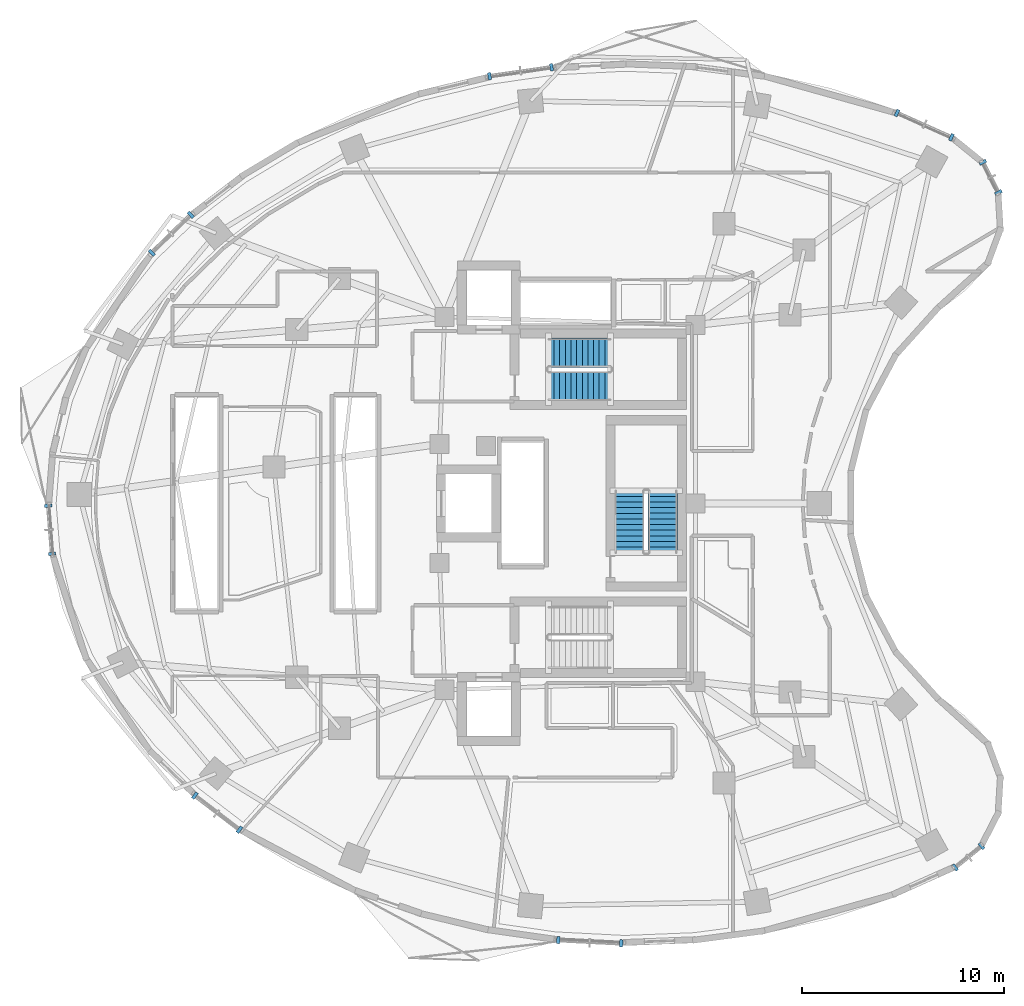
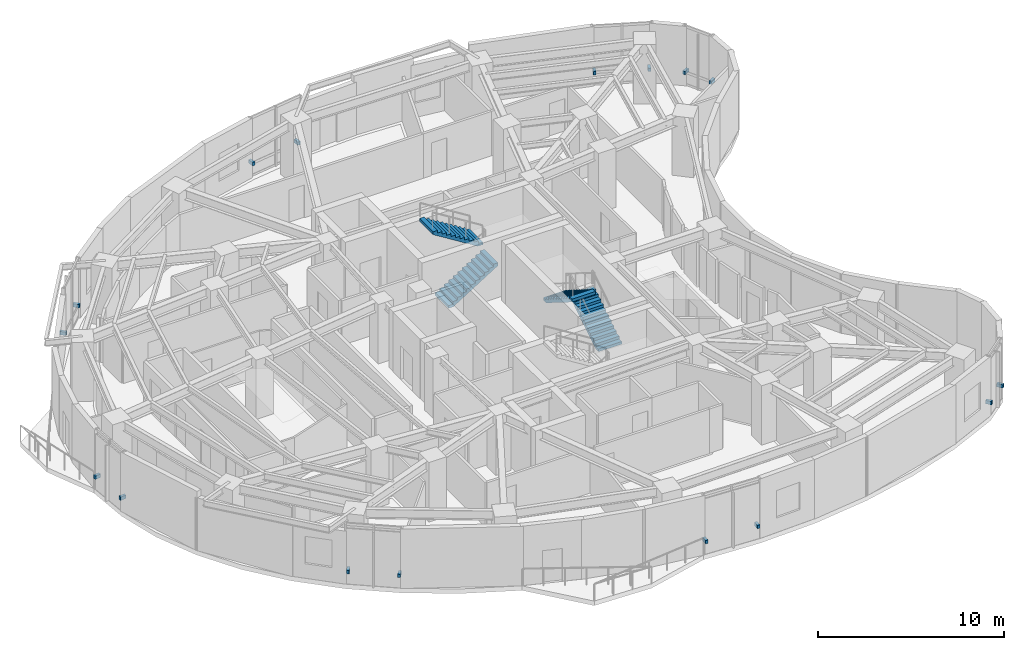
# One storey, part 12 of 15: 16 discrete accessories, 4 stair flights, 2 elements without a shape of their own.
"""IFC4 building model written with IfcOpenShell, lengths in metres."""

import ifcopenshell
import ifcopenshell.guid

model = None  # the IFC model being written
_history = None  # IfcOwnerHistory: only IFC2X3 demands one
_inside = {}  # id of a spatial element -> (the spatial element, [elements in it])
_under = {}  # id of a project, library or spatial element -> (it, [spatial elements below it])
_declared = {}  # id of a project -> (the project, [libraries it declares])
_typed = {}  # id of a type object -> (the type object, [elements of that type])
_made_of = {}  # id of a material, layer set ... -> (it, [elements and type objects made of it])


def new_model(schema):
    """Start an empty IFC model of exactly this schema.

    Asked for "IFC4X3", IfcOpenShell would pick the latest addendum, in which some entities
    have other attributes; the version numbers below select the first issue.
    IFC2X3 requires an IfcOwnerHistory on every rooted entity: one is made here for all.
    """
    global model, _history
    if schema == "IFC4X3":
        model = ifcopenshell.file(schema_version=(4, 3, 0, 0))
    else:
        model = ifcopenshell.file(schema=schema)
    _inside.clear()
    _under.clear()
    _declared.clear()
    _typed.clear()
    _made_of.clear()
    _history = None
    if model.schema == "IFC2X3":
        org = make("IfcOrganization", Name="unknown")
        user = make(
            "IfcPersonAndOrganization",
            ThePerson=make("IfcPerson", FamilyName="unknown"),
            TheOrganization=org,
        )
        app = make(
            "IfcApplication",
            ApplicationDeveloper=org,
            Version="unknown",
            ApplicationFullName="unknown",
            ApplicationIdentifier="unknown",
        )
        _history = make(
            "IfcOwnerHistory",
            OwningUser=user,
            OwningApplication=app,
            ChangeAction="ADDED",
            CreationDate=0,
        )
    return model


def make(cls, **values):
    """One entity of the class cls with the attributes given. An attribute that is None is left unset."""
    return model.create_entity(
        cls, **{name: value for name, value in values.items() if value is not None}
    )


def rooted(cls, **values):
    """An entity with a GlobalId (a new one), such as an element, a storey or a relation."""
    return make(cls, GlobalId=ifcopenshell.guid.new(), OwnerHistory=_history, **values)


def si_unit(unit_type, name, prefix=None):
    """IfcSIUnit, for example si_unit("LENGTHUNIT", "METRE", prefix="MILLI")."""
    return make("IfcSIUnit", UnitType=unit_type, Prefix=prefix, Name=name)


def assignment(units):
    """IfcUnitAssignment: the units of a project."""
    return None if units is None else make("IfcUnitAssignment", Units=units)


def point(xyz):
    """IfcCartesianPoint."""
    return None if xyz is None else make("IfcCartesianPoint", Coordinates=xyz)


def direction(xyz):
    """IfcDirection."""
    return None if xyz is None else make("IfcDirection", DirectionRatios=xyz)


def frame(location, z_axis=None, x_axis=None):
    """IfcAxis2Placement3D, a coordinate frame: its origin and axes. An axis left out is left unset."""
    return make(
        "IfcAxis2Placement3D",
        Location=point(location),
        Axis=direction(z_axis),
        RefDirection=direction(x_axis),
    )


def frame_2d(location, x_axis=None):
    """IfcAxis2Placement2D, a coordinate frame in the plane: its origin and x axis."""
    return make(
        "IfcAxis2Placement2D", Location=point(location), RefDirection=direction(x_axis)
    )


def origin():
    """The frame at (0, 0, 0) with its axes left unset."""
    return frame((0.0, 0.0, 0.0))


def origin_2d():
    """The frame at (0, 0) in the plane with its x axis left unset."""
    return frame_2d((0.0, 0.0))


def place(relative_to, where):
    """IfcLocalPlacement: puts the frame where relative to a parent placement (None: the world)."""
    return make(
        "IfcLocalPlacement", PlacementRelTo=relative_to, RelativePlacement=where
    )


def context(
    kind, dimensions, precision=None, world=None, true_north=None, identifier=None
):
    """IfcGeometricRepresentationContext, for example the 3D "Model" context."""
    return make(
        "IfcGeometricRepresentationContext",
        ContextIdentifier=identifier,
        ContextType=kind,
        CoordinateSpaceDimension=dimensions,
        Precision=precision,
        WorldCoordinateSystem=world,
        TrueNorth=true_north,
    )


def subcontext(parent, identifier, kind, view, scale=None):
    """IfcGeometricRepresentationSubContext, for example "Body" below "Model"."""
    return make(
        "IfcGeometricRepresentationSubContext",
        ContextIdentifier=identifier,
        ContextType=kind,
        ParentContext=parent,
        TargetScale=scale,
        TargetView=view,
    )


def project(units=None, contexts=None):
    """IfcProject with its units and contexts."""
    return rooted(
        "IfcProject",
        Name="project",
        RepresentationContexts=contexts,
        UnitsInContext=assignment(units),
    )


def spatial(cls, under=None, at=None, **own):
    """A site, building, storey or space (cls), placed at a placement, below another one or the project."""
    s = rooted(cls, ObjectPlacement=at, **own)
    if under is not None:
        _under.setdefault(under.id(), (under, []))[1].append(s)
    return s


def polyline(points):
    """IfcPolyline through the points."""
    return make("IfcPolyline", Points=[point(p) for p in points])


def profile(cls, at=None, kind="AREA", **sizes):
    """A parametric profile (cls). Its sizes go by their IFC names, for example OverallWidth=200.0."""
    return make(cls, ProfileType=kind, Position=at, **sizes)


def rectangle(**sizes):
    """IfcRectangleProfileDef."""
    return profile("IfcRectangleProfileDef", **sizes)


def outline(outer, holes=None, kind="AREA"):
    """IfcArbitraryClosedProfileDef: a profile drawn as a closed curve; with holes, ...WithVoids."""
    if holes is None:
        return make("IfcArbitraryClosedProfileDef", ProfileType=kind, OuterCurve=outer)
    return make(
        "IfcArbitraryProfileDefWithVoids",
        ProfileType=kind,
        OuterCurve=outer,
        InnerCurves=holes,
    )


def extrude(swept, where, along, depth):
    """IfcExtrudedAreaSolid: the profile swept, set in the frame where, extruded along a direction by depth."""
    return make(
        "IfcExtrudedAreaSolid",
        SweptArea=swept,
        Position=where,
        ExtrudedDirection=direction(along),
        Depth=depth,
    )


def shape(context_of_items, identifier, shape_type, items):
    """IfcShapeRepresentation: the items that make up one representation, for example the "Body"."""
    return make(
        "IfcShapeRepresentation",
        ContextOfItems=context_of_items,
        RepresentationIdentifier=identifier,
        RepresentationType=shape_type,
        Items=items,
    )


def material(Name=None, Category=None):
    """IfcMaterial."""
    return make("IfcMaterial", Name=Name, Category=Category)


def made_of(thing, what):
    """Note that an element or type object is made of a material, layer set ...; save() writes the relation."""
    if what is not None:
        _made_of.setdefault(what.id(), (what, []))[1].append(thing)
    return thing


def type_object(cls, material=None, **own):
    """A type object (cls), such as IfcWallType, which elements share."""
    return made_of(rooted(cls, **own), material)


def element(
    cls,
    number,
    at=None,
    inside=None,
    cuts=None,
    type_object=None,
    material=None,
    context=None,
    identifier="Body",
    shape_type=None,
    held_by="IfcProductDefinitionShape",
    body=None,
    shapes=None,
    **own,
):
    """One element of the class cls, such as IfcWall. Its Tag is "e" and its number.

    at: its placement. inside: the storey or other place that contains it. cuts: it is an
    opening in that element (IfcRelVoidsElement). A single representation is given by context,
    identifier, shape_type and body (its items); several are given by shapes. held_by: the class
    of the entity that holds the representations. save() writes the other relations.
    """
    e = rooted(cls, Tag="e%d" % number, ObjectPlacement=at, **own)
    if body is not None:
        shapes = [shape(context, identifier, shape_type, body)]
    if shapes is not None:
        e.Representation = make(held_by, Representations=shapes)
    if inside is not None:
        _inside.setdefault(inside.id(), (inside, []))[1].append(e)
    if cuts is not None:
        rooted(
            "IfcRelVoidsElement", RelatingBuildingElement=cuts, RelatedOpeningElement=e
        )
    if type_object is not None:
        _typed.setdefault(type_object.id(), (type_object, []))[1].append(e)
    return made_of(e, material)


def aggregate(whole, parts):
    """IfcRelAggregates: a whole, such as a stair, and the parts it consists of."""
    return rooted("IfcRelAggregates", RelatingObject=whole, RelatedObjects=parts)


def save(model, path):
    """Write the relations noted so far, then the file.

    IfcRelAggregates (storeys below a building ...), IfcRelContainedInSpatialStructure (elements
    in a storey), IfcRelDefinesByType, IfcRelAssociatesMaterial and IfcRelDeclares: one each for
    every whole, place, type object, material and project.
    """
    for whole, parts in _under.values():
        aggregate(whole, parts)
    for where, things in _inside.values():
        rooted(
            "IfcRelContainedInSpatialStructure",
            RelatedElements=things,
            RelatingStructure=where,
        )
    for kind, things in _typed.values():
        rooted("IfcRelDefinesByType", RelatedObjects=things, RelatingType=kind)
    for what, things in _made_of.values():
        rooted("IfcRelAssociatesMaterial", RelatedObjects=things, RelatingMaterial=what)
    for by, libraries in _declared.values():
        rooted("IfcRelDeclares", RelatingContext=by, RelatedDefinitions=libraries)
    model.write(path)


model = new_model("IFC4")

# Units and contexts
model_context = context("Model", 3, precision=1e-05, world=origin(), true_north=direction((0.0, 1.0)))
body_context = subcontext(model_context, "Body", "Model", "MODEL_VIEW")
ifc_project = project(units=[si_unit("LENGTHUNIT", "METRE"), si_unit("AREAUNIT", "SQUARE_METRE"), si_unit("VOLUMEUNIT", "CUBIC_METRE"), si_unit("PLANEANGLEUNIT", "RADIAN"), si_unit("MASSUNIT", "GRAM", prefix="KILO")], contexts=[model_context])

# Site, building, storey
site_placement = place(None, origin())
site = spatial("IfcSite", under=ifc_project, at=site_placement, CompositionType="ELEMENT")
building_placement = place(site_placement, origin())
building = spatial("IfcBuilding", under=site, at=building_placement, Name="Korentha Bioscience Tower", CompositionType="ELEMENT")
storey_placement = place(building_placement, frame((0.0, 0.0, 94.199951171875)))
storey = spatial("IfcBuildingStorey", under=building, at=storey_placement, Name="L21", CompositionType="ELEMENT", Elevation=94.199951171875)

# Stair, stair flights
ifc_material_1 = material(Name="Precast Concrete C50", Category="concrete")
stair_type = type_object("IfcStairType", Name="Core Exit Dog-Leg Stair 1450", PredefinedType="HALF_TURN_STAIR", material=ifc_material_1)
stair_1_placement = place(storey_placement, origin())
stair_1 = element("IfcStair", 1, at=stair_1_placement, inside=storey, type_object=stair_type, Name="L21 Tower North Pressurized Exit Stair ST-1", PredefinedType="HALF_TURN_STAIR")
stair_flight_type = type_object("IfcStairFlightType", Name="Core Exit Dog-Leg Stair 1450 Flight", PredefinedType="STRAIGHT", material=ifc_material_1)
stair_flight_1_placement = place(storey_placement, frame((30.25, 32.824951171875, 0.0), z_axis=(0.0, 0.0, 1.0), x_axis=(1.0, 0.0, 0.0)))
stair_flight_1 = element("IfcStairFlight", 2, at=stair_flight_1_placement, type_object=stair_flight_type, Name="ST-1 flight 1", NumberOfRisers=12, NumberOfTreads=11, PredefinedType="STRAIGHT", RiserHeight=0.175, TreadLength=0.28, context=body_context, shape_type="SweptSolid", body=[
    extrude(outline(polyline([(0.0, 0.0), (0.0, 0.175048828125), (0.280029296875, 0.175048828125), (0.280029296875, 0.35009765625), (0.56005859375, 0.35009765625), (0.56005859375, 0.52490234375), (0.840087890625, 0.52490234375), (0.840087890625, 0.699951171875), (1.1201171875, 0.699951171875), (1.1201171875, 0.875), (1.39990234375, 0.875), (1.39990234375, 1.050048828125), (1.679931640625, 1.050048828125), (1.679931640625, 1.22509765625), (1.9599609375, 1.22509765625), (1.9599609375, 1.39990234375), (2.239990234375, 1.39990234375), (2.239990234375, 1.574951171875), (2.52001953125, 1.574951171875), (2.52001953125, 1.75), (2.800048828125, 1.75), (2.800048828125, 1.925048828125), (3.080078125, 1.925048828125), (3.080078125, 2.10009765625), (3.080078125, 1.736328125), (0.3017578125, 0.0), (0.0, 0.0)])), frame((0.0, 0.72509765625, 0.0), z_axis=(0.0, -1.0, 0.0), x_axis=(1.0, 0.0, 0.0)), (0.0, 0.0, 1.0), 1.449951171875),
])
stair_flight_2_placement = place(storey_placement, frame((33.330078125, 34.47509765625, 2.10009765625), z_axis=(0.0, 0.0, 1.0), x_axis=(-1.0, 0.0, 0.0)))
stair_flight_2 = element("IfcStairFlight", 3, at=stair_flight_2_placement, type_object=stair_flight_type, Name="ST-1 flight 2", NumberOfRisers=12, NumberOfTreads=11, PredefinedType="STRAIGHT", RiserHeight=0.175, TreadLength=0.28, context=body_context, shape_type="SweptSolid", body=[
    extrude(outline(polyline([(0.0, 0.0), (0.0, 0.175048828125), (0.280029296875, 0.175048828125), (0.280029296875, 0.35009765625), (0.56005859375, 0.35009765625), (0.56005859375, 0.52490234375), (0.840087890625, 0.52490234375), (0.840087890625, 0.699951171875), (1.1201171875, 0.699951171875), (1.1201171875, 0.875), (1.39990234375, 0.875), (1.39990234375, 1.050048828125), (1.679931640625, 1.050048828125), (1.679931640625, 1.22509765625), (1.9599609375, 1.22509765625), (1.9599609375, 1.39990234375), (2.239990234375, 1.39990234375), (2.239990234375, 1.574951171875), (2.52001953125, 1.574951171875), (2.52001953125, 1.75), (2.800048828125, 1.75), (2.800048828125, 1.925048828125), (3.080078125, 1.925048828125), (3.080078125, 2.10009765625), (3.080078125, 1.736328125), (0.3017578125, 0.0), (0.0, 0.0)])), frame((0.0, 0.72509765625, 0.0), z_axis=(0.0, -1.0, 0.0), x_axis=(1.0, 0.0, 0.0)), (0.0, 0.0, 1.0), 1.449951171875),
])
aggregate(stair_1, [stair_flight_1, stair_flight_2])

stair_2_placement = place(storey_placement, origin())
stair_2 = element("IfcStair", 4, at=stair_2_placement, inside=storey, type_object=stair_type, Name="L21 Tower Central Pressurized Exit Stair ST-3", PredefinedType="HALF_TURN_STAIR")
stair_flight_3_placement = place(storey_placement, frame((35.925048828125, 24.550048828125, 0.0), z_axis=(0.0, 0.0, 1.0), x_axis=(0.0, 1.0, 0.0)))
stair_flight_3 = element("IfcStairFlight", 5, at=stair_flight_3_placement, type_object=stair_flight_type, Name="ST-3 flight 1", NumberOfRisers=12, NumberOfTreads=11, PredefinedType="STRAIGHT", RiserHeight=0.175, TreadLength=0.28, context=body_context, shape_type="SweptSolid", body=[
    extrude(outline(polyline([(0.0, 0.0), (0.0, 0.175048828125), (0.280029296875, 0.175048828125), (0.280029296875, 0.35009765625), (0.56005859375, 0.35009765625), (0.56005859375, 0.52490234375), (0.840087890625, 0.52490234375), (0.840087890625, 0.699951171875), (1.1201171875, 0.699951171875), (1.1201171875, 0.875), (1.39990234375, 0.875), (1.39990234375, 1.050048828125), (1.679931640625, 1.050048828125), (1.679931640625, 1.22509765625), (1.9599609375, 1.22509765625), (1.9599609375, 1.39990234375), (2.239990234375, 1.39990234375), (2.239990234375, 1.574951171875), (2.52001953125, 1.574951171875), (2.52001953125, 1.75), (2.800048828125, 1.75), (2.800048828125, 1.925048828125), (3.080078125, 1.925048828125), (3.080078125, 2.10009765625), (3.080078125, 1.736328125), (0.3017578125, 0.0), (0.0, 0.0)])), frame((0.0, 0.72509765625, 0.0), z_axis=(0.0, -1.0, 0.0), x_axis=(1.0, 0.0, 0.0)), (0.0, 0.0, 1.0), 1.449951171875),
])
stair_flight_4_placement = place(storey_placement, frame((34.27490234375, 27.6298828125, 2.10009765625), z_axis=(0.0, 0.0, 1.0), x_axis=(0.0, -1.0, 0.0)))
stair_flight_4 = element("IfcStairFlight", 6, at=stair_flight_4_placement, type_object=stair_flight_type, Name="ST-3 flight 2", NumberOfRisers=12, NumberOfTreads=11, PredefinedType="STRAIGHT", RiserHeight=0.175, TreadLength=0.28, context=body_context, shape_type="SweptSolid", body=[
    extrude(outline(polyline([(0.0, 0.0), (0.0, 0.175048828125), (0.280029296875, 0.175048828125), (0.280029296875, 0.35009765625), (0.56005859375, 0.35009765625), (0.56005859375, 0.52490234375), (0.840087890625, 0.52490234375), (0.840087890625, 0.699951171875), (1.1201171875, 0.699951171875), (1.1201171875, 0.875), (1.39990234375, 0.875), (1.39990234375, 1.050048828125), (1.679931640625, 1.050048828125), (1.679931640625, 1.22509765625), (1.9599609375, 1.22509765625), (1.9599609375, 1.39990234375), (2.239990234375, 1.39990234375), (2.239990234375, 1.574951171875), (2.52001953125, 1.574951171875), (2.52001953125, 1.75), (2.800048828125, 1.75), (2.800048828125, 1.925048828125), (3.080078125, 1.925048828125), (3.080078125, 2.10009765625), (3.080078125, 1.736328125), (0.3017578125, 0.0), (0.0, 0.0)])), frame((0.0, 0.72509765625, 0.0), z_axis=(0.0, -1.0, 0.0), x_axis=(1.0, 0.0, 0.0)), (0.0, 0.0, 1.0), 1.449951171875),
])
aggregate(stair_2, [stair_flight_3, stair_flight_4])

# Discrete accessories
ifc_material_2 = material(Name="Stainless Steel 316", Category="steel")
discrete_accessory_type = type_object("IfcDiscreteAccessoryType", Name="Stainless Steel Solar-Screen Outrigger Bracket", PredefinedType="BRACKET", material=ifc_material_2)
for number, where, z_axis, x_axis, name in (
    (7, (50.241455078125, 45.161376953125, 0.740234375), (0.0, 0.0, 1.0), (-0.912686563127, 0.408660295952, 0.0), "CW-L21-01 Solar-Screen Support Bracket 1"),
    (8, (47.542236328125, 46.3701171875, 0.740234375), (0.0, 0.0, 1.0), (-0.912686563127, 0.408660295952, 0.0), "CW-L21-01 Solar-Screen Support Bracket 2"),
    (9, (30.40380859375, 48.635009765625, 0.740234375), (0.0, 0.0, 1.0), (-0.989738282326, -0.14289203091, 0.0), "CW-L21-07 Solar-Screen Support Bracket 1"),
    (10, (27.328369140625, 48.19091796875, 0.740234375), (0.0, 0.0, 1.0), (-0.989738282326, -0.14289203091, 0.0), "CW-L21-07 Solar-Screen Support Bracket 2"),
    (11, (12.496826171875, 41.316162109375, 0.740234375), (0.0, 0.0, 1.0), (-0.716095631804, -0.698002182025, 0.0), "CW-L21-13 Solar-Screen Support Bracket 1"),
    (12, (10.5673828125, 39.435302734375, 0.740234375), (0.0, 0.0, 1.0), (-0.716095631804, -0.698002182025, 0.0), "CW-L21-13 Solar-Screen Support Bracket 2"),
    (13, (5.433349609375, 26.885986328125, 0.740234375), (0.0, 0.0, 1.0), (0.079130214674, -0.996864288219, 0.0), "CW-L21-19 Solar-Screen Support Bracket 1"),
    (14, (5.622802734375, 24.4990234375, 0.740234375), (0.0, 0.0, 1.0), (0.079130214674, -0.996864288219, 0.0), "CW-L21-19 Solar-Screen Support Bracket 2"),
    (15, (12.708740234375, 12.501220703125, 0.740234375), (0.0, 0.0, 1.0), (0.794499603893, -0.607264669986, 0.0), "CW-L21-25 Solar-Screen Support Bracket 1"),
    (16, (14.920166015625, 10.810791015625, 0.740234375), (0.0, 0.0, 1.0), (0.794499603893, -0.607264669986, 0.0), "CW-L21-25 Solar-Screen Support Bracket 2"),
    (17, (30.737060546875, 5.33251953125, 0.740234375), (0.0, 0.0, 1.0), (0.998673231344, -0.051495407527, 0.0), "CW-L21-31 Solar-Screen Support Bracket 1"),
    (18, (33.860107421875, 5.17138671875, 0.740234375), (0.0, 0.0, 1.0), (0.998673231344, -0.051495407527, 0.0), "CW-L21-31 Solar-Screen Support Bracket 2"),
    (19, (50.423095703125, 8.93701171875, 0.740234375), (0.0, 0.0, 1.0), (0.777315301098, 0.629111216463, 0.0), "CW-L21-37 Solar-Screen Support Bracket 1"),
    (20, (51.734619140625, 9.998779296875, 0.740234375), (0.0, 0.0, 1.0), (0.777315301098, 0.629111216463, 0.0), "CW-L21-37 Solar-Screen Support Bracket 2"),
    (21, (52.571044921875, 42.42236328125, 0.740234375), (0.0, 0.0, 1.0), (-0.457613117169, 0.889151412862, 0.0), "CW-L21-61 Solar-Screen Support Bracket 1"),
    (22, (51.798828125, 43.922607421875, 0.740234375), (0.0, 0.0, 1.0), (-0.457613117169, 0.889151412862, 0.0), "CW-L21-61 Solar-Screen Support Bracket 2"),
):
    element("IfcDiscreteAccessory", number, at=place(storey_placement, frame(where, z_axis=z_axis, x_axis=x_axis)), inside=storey, type_object=discrete_accessory_type, Name=name, PredefinedType="BRACKET", context=body_context, shape_type="SweptSolid", body=[
        extrude(rectangle(XDim=0.159912109375, YDim=0.360107421875, at=origin_2d()), origin(), (0.0, 0.0, 1.0), 0.219970703125),
    ])

save(model, "model.ifc")
